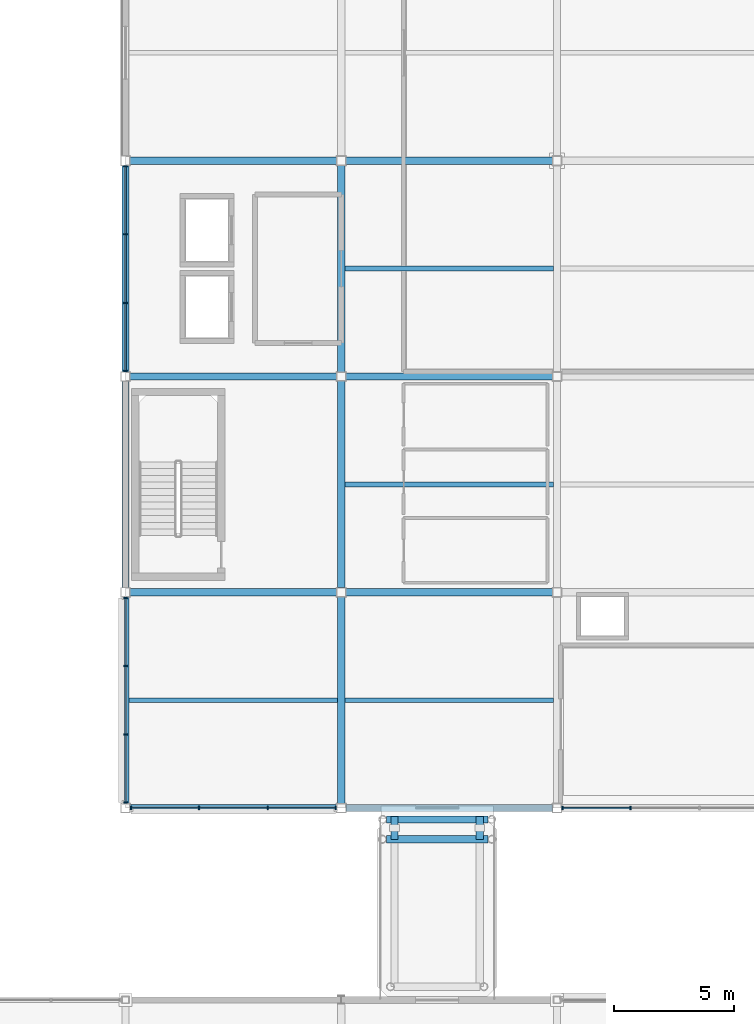
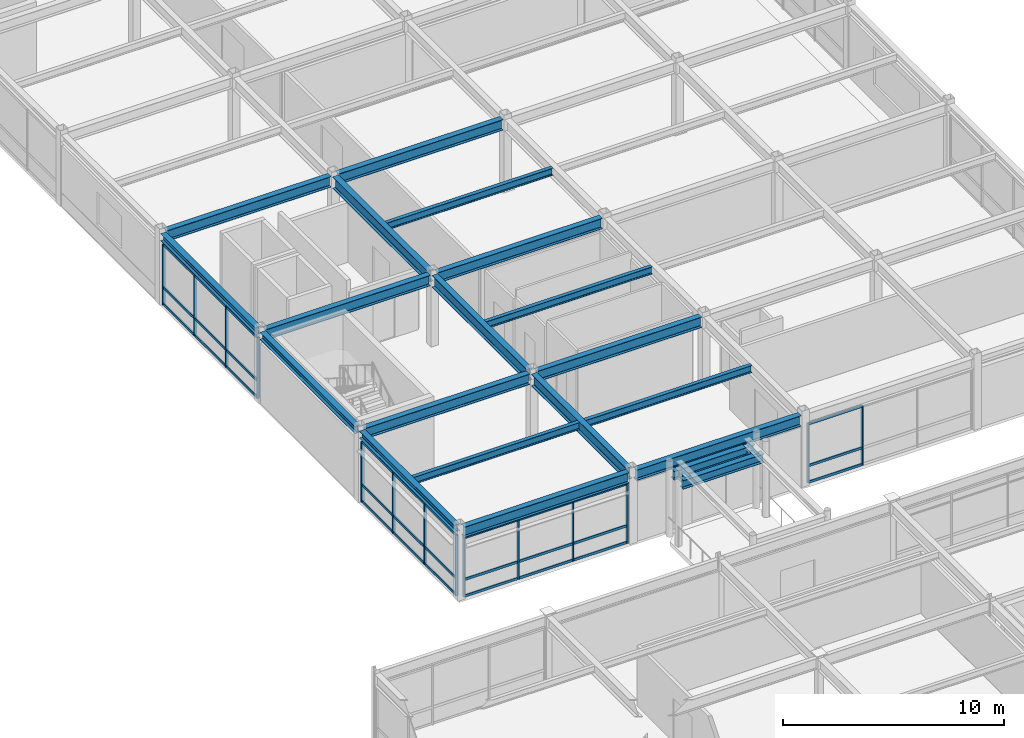
# One storey, part 36 of 70: 44 members, 22 beams, 4 elements without a shape of their own.
"""IFC4 building model written with IfcOpenShell, lengths in metres."""

from ifc_helpers import new_model, si_unit, direction, frame, origin, origin_2d, place, context, subcontext, project, spatial, rectangle, i_section, extrude, material, material_profile, profile_set, type_object, element, aggregate, save


model = new_model("IFC4")

# Units and contexts
model_context = context("Model", 3, precision=1e-05, world=origin(), true_north=direction((0.0, 1.0)))
body_context = subcontext(model_context, "Body", "Model", "MODEL_VIEW")
ifc_project = project(units=[si_unit("LENGTHUNIT", "METRE"), si_unit("AREAUNIT", "SQUARE_METRE"), si_unit("VOLUMEUNIT", "CUBIC_METRE"), si_unit("PLANEANGLEUNIT", "RADIAN"), si_unit("MASSUNIT", "GRAM", prefix="KILO")], contexts=[model_context])

# Site, building, storey
site_placement = place(None, origin())
site = spatial("IfcSite", under=ifc_project, at=site_placement, CompositionType="ELEMENT")
building_placement = place(site_placement, origin())
building = spatial("IfcBuilding", under=site, at=building_placement, Name="Suzunagisa Mobility Hub", CompositionType="ELEMENT")
storey_placement = place(building_placement, frame((0.0, 0.0, 13.5)))
storey = spatial("IfcBuildingStorey", under=building, at=storey_placement, Name="L03", CompositionType="ELEMENT", Elevation=13.5)

# Curtain wall, members
ifc_material_1 = material(Name="Thermally Broken Anodized Aluminum and Low-E Glazing", Category="aluminium")
curtain_wall_type_1 = type_object("IfcCurtainWallType", Name="Unitised Curtain Wall CW-43 8500x3300", PredefinedType="USERDEFINED", material=ifc_material_1)
curtain_wall_1_placement = place(storey_placement, origin())
curtain_wall_1 = element("IfcCurtainWall", 1, at=curtain_wall_1_placement, inside=storey, type_object=curtain_wall_type_1, Name="L03 Unitised Curtain Wall CW-204", ObjectType="UNITISED CURTAIN WALL", PredefinedType="USERDEFINED")
ifc_material_2 = material(Name="Anodized Aluminum 6063-T6", Category="aluminium")
ifc_material_profile_1 = material_profile(ifc_material_2, rectangle(XDim=0.06494140625, YDim=0.139892578125, at=origin_2d()), Name="TRAN-65x140")
ifc_profile_set_1 = profile_set([ifc_material_profile_1], Name="Anodized Aluminum 6063-T6")
member_type_1 = type_object("IfcMemberType", Name="Curtain Wall Framing CM-01 TRAN-65x140", PredefinedType="USERDEFINED", material=ifc_profile_set_1)
member_1_placement = place(storey_placement, frame((144.258056640625, 44.0, 0.032470703125), z_axis=(1.0, 0.0, 0.0), x_axis=(0.0, 1.0, 0.0)))
member_1 = element("IfcMember", 2, at=member_1_placement, type_object=member_type_1, Name="Curtain Wall Transom 204-T1.1", ObjectType="TRANSOM", PredefinedType="USERDEFINED", context=body_context, shape_type="SweptSolid", body=[
    extrude(rectangle(XDim=0.06494140625, YDim=0.139892578125, at=origin_2d()), origin(), (0.0, 0.0, 1.0), 2.78076171875),
])
member_2_placement = place(storey_placement, frame((144.258056640625, 44.0, 0.949951171875), z_axis=(1.0, 0.0, 0.0), x_axis=(0.0, 1.0, 0.0)))
member_2 = element("IfcMember", 3, at=member_2_placement, type_object=member_type_1, Name="Curtain Wall Transom 204-T1.2", ObjectType="TRANSOM", PredefinedType="USERDEFINED", context=body_context, shape_type="SweptSolid", body=[
    extrude(rectangle(XDim=0.06494140625, YDim=0.139892578125, at=origin_2d()), origin(), (0.0, 0.0, 1.0), 2.78076171875),
])
member_3_placement = place(storey_placement, frame((144.258056640625, 44.0, 3.267578125), z_axis=(1.0, 0.0, 0.0), x_axis=(0.0, 1.0, 0.0)))
member_3 = element("IfcMember", 4, at=member_3_placement, type_object=member_type_1, Name="Curtain Wall Transom 204-T1.3", ObjectType="TRANSOM", PredefinedType="USERDEFINED", context=body_context, shape_type="SweptSolid", body=[
    extrude(rectangle(XDim=0.06494140625, YDim=0.139892578125, at=origin_2d()), origin(), (0.0, 0.0, 1.0), 2.78076171875),
])
member_4_placement = place(storey_placement, frame((147.0947265625, 44.0, 0.032470703125), z_axis=(1.0, 0.0, 0.0), x_axis=(0.0, 1.0, 0.0)))
member_4 = element("IfcMember", 5, at=member_4_placement, type_object=member_type_1, Name="Curtain Wall Transom 204-T2.1", ObjectType="TRANSOM", PredefinedType="USERDEFINED", context=body_context, shape_type="SweptSolid", body=[
    extrude(rectangle(XDim=0.06494140625, YDim=0.139892578125, at=origin_2d()), origin(), (0.0, 0.0, 1.0), 2.810546875),
])
member_5_placement = place(storey_placement, frame((147.0947265625, 44.0, 0.949951171875), z_axis=(1.0, 0.0, 0.0), x_axis=(0.0, 1.0, 0.0)))
member_5 = element("IfcMember", 6, at=member_5_placement, type_object=member_type_1, Name="Curtain Wall Transom 204-T2.2", ObjectType="TRANSOM", PredefinedType="USERDEFINED", context=body_context, shape_type="SweptSolid", body=[
    extrude(rectangle(XDim=0.06494140625, YDim=0.139892578125, at=origin_2d()), origin(), (0.0, 0.0, 1.0), 2.810546875),
])
member_6_placement = place(storey_placement, frame((147.0947265625, 44.0, 3.267578125), z_axis=(1.0, 0.0, 0.0), x_axis=(0.0, 1.0, 0.0)))
member_6 = element("IfcMember", 7, at=member_6_placement, type_object=member_type_1, Name="Curtain Wall Transom 204-T2.3", ObjectType="TRANSOM", PredefinedType="USERDEFINED", context=body_context, shape_type="SweptSolid", body=[
    extrude(rectangle(XDim=0.06494140625, YDim=0.139892578125, at=origin_2d()), origin(), (0.0, 0.0, 1.0), 2.810546875),
])
member_7_placement = place(storey_placement, frame((149.961181640625, 44.0, 0.032470703125), z_axis=(1.0, 0.0, 0.0), x_axis=(0.0, 1.0, 0.0)))
member_7 = element("IfcMember", 8, at=member_7_placement, type_object=member_type_1, Name="Curtain Wall Transom 204-T3.1", ObjectType="TRANSOM", PredefinedType="USERDEFINED", context=body_context, shape_type="SweptSolid", body=[
    extrude(rectangle(XDim=0.06494140625, YDim=0.139892578125, at=origin_2d()), origin(), (0.0, 0.0, 1.0), 2.78076171875),
])
member_8_placement = place(storey_placement, frame((149.961181640625, 44.0, 0.949951171875), z_axis=(1.0, 0.0, 0.0), x_axis=(0.0, 1.0, 0.0)))
member_8 = element("IfcMember", 9, at=member_8_placement, type_object=member_type_1, Name="Curtain Wall Transom 204-T3.2", ObjectType="TRANSOM", PredefinedType="USERDEFINED", context=body_context, shape_type="SweptSolid", body=[
    extrude(rectangle(XDim=0.06494140625, YDim=0.139892578125, at=origin_2d()), origin(), (0.0, 0.0, 1.0), 2.78076171875),
])
member_9_placement = place(storey_placement, frame((149.961181640625, 44.0, 3.267578125), z_axis=(1.0, 0.0, 0.0), x_axis=(0.0, 1.0, 0.0)))
member_9 = element("IfcMember", 10, at=member_9_placement, type_object=member_type_1, Name="Curtain Wall Transom 204-T3.3", ObjectType="TRANSOM", PredefinedType="USERDEFINED", context=body_context, shape_type="SweptSolid", body=[
    extrude(rectangle(XDim=0.06494140625, YDim=0.139892578125, at=origin_2d()), origin(), (0.0, 0.0, 1.0), 2.78076171875),
])

curtain_wall_2_placement = place(storey_placement, origin())
curtain_wall_2 = element("IfcCurtainWall", 11, at=curtain_wall_2_placement, inside=storey, type_object=curtain_wall_type_1, Name="L03 Unitised Curtain Wall CW-205", ObjectType="UNITISED CURTAIN WALL", PredefinedType="USERDEFINED")
member_10_placement = place(storey_placement, frame((162.258056640625, 44.0, 0.032470703125), z_axis=(1.0, 0.0, 0.0), x_axis=(0.0, 1.0, 0.0)))
member_10 = element("IfcMember", 12, at=member_10_placement, type_object=member_type_1, Name="Curtain Wall Transom 205-T1.1", ObjectType="TRANSOM", PredefinedType="USERDEFINED", context=body_context, shape_type="SweptSolid", body=[
    extrude(rectangle(XDim=0.06494140625, YDim=0.139892578125, at=origin_2d()), origin(), (0.0, 0.0, 1.0), 2.78076171875),
])
member_11_placement = place(storey_placement, frame((162.258056640625, 44.0, 0.949951171875), z_axis=(1.0, 0.0, 0.0), x_axis=(0.0, 1.0, 0.0)))
member_11 = element("IfcMember", 13, at=member_11_placement, type_object=member_type_1, Name="Curtain Wall Transom 205-T1.2", ObjectType="TRANSOM", PredefinedType="USERDEFINED", context=body_context, shape_type="SweptSolid", body=[
    extrude(rectangle(XDim=0.06494140625, YDim=0.139892578125, at=origin_2d()), origin(), (0.0, 0.0, 1.0), 2.78076171875),
])
member_12_placement = place(storey_placement, frame((162.258056640625, 44.0, 3.257568359375), z_axis=(1.0, 0.0, 0.0), x_axis=(0.0, 1.0, 0.0)))
member_12 = element("IfcMember", 14, at=member_12_placement, type_object=member_type_1, Name="Curtain Wall Transom 205-T1.3", ObjectType="TRANSOM", PredefinedType="USERDEFINED", context=body_context, shape_type="SweptSolid", body=[
    extrude(rectangle(XDim=0.06494140625, YDim=0.139892578125, at=origin_2d()), origin(), (0.0, 0.0, 1.0), 2.78076171875),
])

curtain_wall_type_2 = type_object("IfcCurtainWallType", Name="Unitised Curtain Wall CW-29 8500x3400", PredefinedType="USERDEFINED", material=ifc_material_1)
curtain_wall_3_placement = place(storey_placement, origin())
curtain_wall_3 = element("IfcCurtainWall", 15, at=curtain_wall_3_placement, inside=storey, type_object=curtain_wall_type_2, Name="L03 Unitised Curtain Wall CW-212", ObjectType="UNITISED CURTAIN WALL", PredefinedType="USERDEFINED")
member_13_placement = place(storey_placement, frame((144.0, 70.741943359375, 0.032470703125), z_axis=(0.0, -1.0, 0.0), x_axis=(1.0, 0.0, 0.0)))
member_13 = element("IfcMember", 16, at=member_13_placement, type_object=member_type_1, Name="Curtain Wall Transom 212-T1.1", ObjectType="TRANSOM", PredefinedType="USERDEFINED", context=body_context, shape_type="SweptSolid", body=[
    extrude(rectangle(XDim=0.06494140625, YDim=0.139892578125, at=origin_2d()), origin(), (0.0, 0.0, 1.0), 2.78076171875),
])
member_14_placement = place(storey_placement, frame((144.0, 70.741943359375, 0.949951171875), z_axis=(0.0, -1.0, 0.0), x_axis=(1.0, 0.0, 0.0)))
member_14 = element("IfcMember", 17, at=member_14_placement, type_object=member_type_1, Name="Curtain Wall Transom 212-T1.2", ObjectType="TRANSOM", PredefinedType="USERDEFINED", context=body_context, shape_type="SweptSolid", body=[
    extrude(rectangle(XDim=0.06494140625, YDim=0.139892578125, at=origin_2d()), origin(), (0.0, 0.0, 1.0), 2.78076171875),
])
member_15_placement = place(storey_placement, frame((144.0, 70.741943359375, 3.32958984375), z_axis=(0.0, -1.0, 0.0), x_axis=(1.0, 0.0, 0.0)))
member_15 = element("IfcMember", 18, at=member_15_placement, type_object=member_type_1, Name="Curtain Wall Transom 212-T1.3", ObjectType="TRANSOM", PredefinedType="USERDEFINED", context=body_context, shape_type="SweptSolid", body=[
    extrude(rectangle(XDim=0.06494140625, YDim=0.139892578125, at=origin_2d()), origin(), (0.0, 0.0, 1.0), 2.78076171875),
])
member_16_placement = place(storey_placement, frame((144.0, 67.9052734375, 0.032470703125), z_axis=(0.0, -1.0, 0.0), x_axis=(1.0, 0.0, 0.0)))
member_16 = element("IfcMember", 19, at=member_16_placement, type_object=member_type_1, Name="Curtain Wall Transom 212-T2.1", ObjectType="TRANSOM", PredefinedType="USERDEFINED", context=body_context, shape_type="SweptSolid", body=[
    extrude(rectangle(XDim=0.06494140625, YDim=0.139892578125, at=origin_2d()), origin(), (0.0, 0.0, 1.0), 2.810546875),
])
member_17_placement = place(storey_placement, frame((144.0, 67.9052734375, 0.949951171875), z_axis=(0.0, -1.0, 0.0), x_axis=(1.0, 0.0, 0.0)))
member_17 = element("IfcMember", 20, at=member_17_placement, type_object=member_type_1, Name="Curtain Wall Transom 212-T2.2", ObjectType="TRANSOM", PredefinedType="USERDEFINED", context=body_context, shape_type="SweptSolid", body=[
    extrude(rectangle(XDim=0.06494140625, YDim=0.139892578125, at=origin_2d()), origin(), (0.0, 0.0, 1.0), 2.810546875),
])
member_18_placement = place(storey_placement, frame((144.0, 67.9052734375, 3.32958984375), z_axis=(0.0, -1.0, 0.0), x_axis=(1.0, 0.0, 0.0)))
member_18 = element("IfcMember", 21, at=member_18_placement, type_object=member_type_1, Name="Curtain Wall Transom 212-T2.3", ObjectType="TRANSOM", PredefinedType="USERDEFINED", context=body_context, shape_type="SweptSolid", body=[
    extrude(rectangle(XDim=0.06494140625, YDim=0.139892578125, at=origin_2d()), origin(), (0.0, 0.0, 1.0), 2.810546875),
])
member_19_placement = place(storey_placement, frame((144.0, 65.038818359375, 0.032470703125), z_axis=(0.0, -1.0, 0.0), x_axis=(1.0, 0.0, 0.0)))
member_19 = element("IfcMember", 22, at=member_19_placement, type_object=member_type_1, Name="Curtain Wall Transom 212-T3.1", ObjectType="TRANSOM", PredefinedType="USERDEFINED", context=body_context, shape_type="SweptSolid", body=[
    extrude(rectangle(XDim=0.06494140625, YDim=0.139892578125, at=origin_2d()), origin(), (0.0, 0.0, 1.0), 2.78076171875),
])
member_20_placement = place(storey_placement, frame((144.0, 65.038818359375, 0.949951171875), z_axis=(0.0, -1.0, 0.0), x_axis=(1.0, 0.0, 0.0)))
member_20 = element("IfcMember", 23, at=member_20_placement, type_object=member_type_1, Name="Curtain Wall Transom 212-T3.2", ObjectType="TRANSOM", PredefinedType="USERDEFINED", context=body_context, shape_type="SweptSolid", body=[
    extrude(rectangle(XDim=0.06494140625, YDim=0.139892578125, at=origin_2d()), origin(), (0.0, 0.0, 1.0), 2.78076171875),
])
member_21_placement = place(storey_placement, frame((144.0, 65.038818359375, 3.32958984375), z_axis=(0.0, -1.0, 0.0), x_axis=(1.0, 0.0, 0.0)))
member_21 = element("IfcMember", 24, at=member_21_placement, type_object=member_type_1, Name="Curtain Wall Transom 212-T3.3", ObjectType="TRANSOM", PredefinedType="USERDEFINED", context=body_context, shape_type="SweptSolid", body=[
    extrude(rectangle(XDim=0.06494140625, YDim=0.139892578125, at=origin_2d()), origin(), (0.0, 0.0, 1.0), 2.78076171875),
])

curtain_wall_4_placement = place(storey_placement, origin())
curtain_wall_4 = element("IfcCurtainWall", 25, at=curtain_wall_4_placement, inside=storey, type_object=curtain_wall_type_2, Name="L03 Unitised Curtain Wall CW-213", ObjectType="UNITISED CURTAIN WALL", PredefinedType="USERDEFINED")
member_22_placement = place(storey_placement, frame((144.0, 52.741943359375, 0.032470703125), z_axis=(0.0, -1.0, 0.0), x_axis=(1.0, 0.0, 0.0)))
member_22 = element("IfcMember", 26, at=member_22_placement, type_object=member_type_1, Name="Curtain Wall Transom 213-T1.1", ObjectType="TRANSOM", PredefinedType="USERDEFINED", context=body_context, shape_type="SweptSolid", body=[
    extrude(rectangle(XDim=0.06494140625, YDim=0.139892578125, at=origin_2d()), origin(), (0.0, 0.0, 1.0), 2.78076171875),
])
member_23_placement = place(storey_placement, frame((144.0, 52.741943359375, 0.949951171875), z_axis=(0.0, -1.0, 0.0), x_axis=(1.0, 0.0, 0.0)))
member_23 = element("IfcMember", 27, at=member_23_placement, type_object=member_type_1, Name="Curtain Wall Transom 213-T1.2", ObjectType="TRANSOM", PredefinedType="USERDEFINED", context=body_context, shape_type="SweptSolid", body=[
    extrude(rectangle(XDim=0.06494140625, YDim=0.139892578125, at=origin_2d()), origin(), (0.0, 0.0, 1.0), 2.78076171875),
])
member_24_placement = place(storey_placement, frame((144.0, 52.741943359375, 3.32958984375), z_axis=(0.0, -1.0, 0.0), x_axis=(1.0, 0.0, 0.0)))
member_24 = element("IfcMember", 28, at=member_24_placement, type_object=member_type_1, Name="Curtain Wall Transom 213-T1.3", ObjectType="TRANSOM", PredefinedType="USERDEFINED", context=body_context, shape_type="SweptSolid", body=[
    extrude(rectangle(XDim=0.06494140625, YDim=0.139892578125, at=origin_2d()), origin(), (0.0, 0.0, 1.0), 2.78076171875),
])
member_25_placement = place(storey_placement, frame((144.0, 49.9052734375, 0.032470703125), z_axis=(0.0, -1.0, 0.0), x_axis=(1.0, 0.0, 0.0)))
member_25 = element("IfcMember", 29, at=member_25_placement, type_object=member_type_1, Name="Curtain Wall Transom 213-T2.1", ObjectType="TRANSOM", PredefinedType="USERDEFINED", context=body_context, shape_type="SweptSolid", body=[
    extrude(rectangle(XDim=0.06494140625, YDim=0.139892578125, at=origin_2d()), origin(), (0.0, 0.0, 1.0), 2.810546875),
])
member_26_placement = place(storey_placement, frame((144.0, 49.9052734375, 0.949951171875), z_axis=(0.0, -1.0, 0.0), x_axis=(1.0, 0.0, 0.0)))
member_26 = element("IfcMember", 30, at=member_26_placement, type_object=member_type_1, Name="Curtain Wall Transom 213-T2.2", ObjectType="TRANSOM", PredefinedType="USERDEFINED", context=body_context, shape_type="SweptSolid", body=[
    extrude(rectangle(XDim=0.06494140625, YDim=0.139892578125, at=origin_2d()), origin(), (0.0, 0.0, 1.0), 2.810546875),
])
member_27_placement = place(storey_placement, frame((144.0, 49.9052734375, 3.32958984375), z_axis=(0.0, -1.0, 0.0), x_axis=(1.0, 0.0, 0.0)))
member_27 = element("IfcMember", 31, at=member_27_placement, type_object=member_type_1, Name="Curtain Wall Transom 213-T2.3", ObjectType="TRANSOM", PredefinedType="USERDEFINED", context=body_context, shape_type="SweptSolid", body=[
    extrude(rectangle(XDim=0.06494140625, YDim=0.139892578125, at=origin_2d()), origin(), (0.0, 0.0, 1.0), 2.810546875),
])
member_28_placement = place(storey_placement, frame((144.0, 47.038818359375, 0.032470703125), z_axis=(0.0, -1.0, 0.0), x_axis=(1.0, 0.0, 0.0)))
member_28 = element("IfcMember", 32, at=member_28_placement, type_object=member_type_1, Name="Curtain Wall Transom 213-T3.1", ObjectType="TRANSOM", PredefinedType="USERDEFINED", context=body_context, shape_type="SweptSolid", body=[
    extrude(rectangle(XDim=0.06494140625, YDim=0.139892578125, at=origin_2d()), origin(), (0.0, 0.0, 1.0), 2.78076171875),
])
member_29_placement = place(storey_placement, frame((144.0, 47.038818359375, 0.949951171875), z_axis=(0.0, -1.0, 0.0), x_axis=(1.0, 0.0, 0.0)))
member_29 = element("IfcMember", 33, at=member_29_placement, type_object=member_type_1, Name="Curtain Wall Transom 213-T3.2", ObjectType="TRANSOM", PredefinedType="USERDEFINED", context=body_context, shape_type="SweptSolid", body=[
    extrude(rectangle(XDim=0.06494140625, YDim=0.139892578125, at=origin_2d()), origin(), (0.0, 0.0, 1.0), 2.78076171875),
])
member_30_placement = place(storey_placement, frame((144.0, 47.038818359375, 3.32958984375), z_axis=(0.0, -1.0, 0.0), x_axis=(1.0, 0.0, 0.0)))
member_30 = element("IfcMember", 34, at=member_30_placement, type_object=member_type_1, Name="Curtain Wall Transom 213-T3.3", ObjectType="TRANSOM", PredefinedType="USERDEFINED", context=body_context, shape_type="SweptSolid", body=[
    extrude(rectangle(XDim=0.06494140625, YDim=0.139892578125, at=origin_2d()), origin(), (0.0, 0.0, 1.0), 2.78076171875),
])

# Member
ifc_material_profile_2 = material_profile(ifc_material_2, rectangle(XDim=0.06005859375, YDim=0.14990234375, at=origin_2d()), Name="MULL-60x150")
ifc_profile_set_2 = profile_set([ifc_material_profile_2], Name="Anodized Aluminum 6063-T6")
member_type_2 = type_object("IfcMemberType", Name="Curtain Wall Framing CM-03 MULL-60x150", PredefinedType="MULLION", material=ifc_profile_set_2)
member_31_placement = place(storey_placement, frame((144.22998046875, 44.0, 0.0), z_axis=(0.0, 0.0, 1.0), x_axis=(1.0, 0.0, 0.0)))
member_31 = element("IfcMember", 35, at=member_31_placement, type_object=member_type_2, Name="Curtain Wall Mullion 204-M1", PredefinedType="MULLION", context=body_context, shape_type="SweptSolid", body=[
    extrude(rectangle(XDim=0.06005859375, YDim=0.14990234375, at=origin_2d()), origin(), (0.0, 0.0, 1.0), 3.300048828125),
])

member_32_placement = place(storey_placement, frame((147.066650390625, 44.0, 0.0), z_axis=(0.0, 0.0, 1.0), x_axis=(1.0, 0.0, 0.0)))
member_32 = element("IfcMember", 36, at=member_32_placement, type_object=member_type_2, Name="Curtain Wall Mullion 204-M2", PredefinedType="MULLION", context=body_context, shape_type="SweptSolid", body=[
    extrude(rectangle(XDim=0.06005859375, YDim=0.14990234375, at=origin_2d()), origin(), (0.0, 0.0, 1.0), 3.300048828125),
])

member_33_placement = place(storey_placement, frame((149.933349609375, 44.0, 0.0), z_axis=(0.0, 0.0, 1.0), x_axis=(1.0, 0.0, 0.0)))
member_33 = element("IfcMember", 37, at=member_33_placement, type_object=member_type_2, Name="Curtain Wall Mullion 204-M3", PredefinedType="MULLION", context=body_context, shape_type="SweptSolid", body=[
    extrude(rectangle(XDim=0.06005859375, YDim=0.14990234375, at=origin_2d()), origin(), (0.0, 0.0, 1.0), 3.300048828125),
])

member_34_placement = place(storey_placement, frame((152.77001953125, 44.0, 0.0), z_axis=(0.0, 0.0, 1.0), x_axis=(1.0, 0.0, 0.0)))
member_34 = element("IfcMember", 38, at=member_34_placement, type_object=member_type_2, Name="Curtain Wall Mullion 204-M4", PredefinedType="MULLION", context=body_context, shape_type="SweptSolid", body=[
    extrude(rectangle(XDim=0.06005859375, YDim=0.14990234375, at=origin_2d()), origin(), (0.0, 0.0, 1.0), 3.300048828125),
])

aggregate(curtain_wall_1, [member_31, member_32, member_33, member_34, member_1, member_2, member_3, member_4, member_5, member_6, member_7, member_8, member_9])

member_35_placement = place(storey_placement, frame((162.22998046875, 44.0, 0.0), z_axis=(0.0, 0.0, 1.0), x_axis=(1.0, 0.0, 0.0)))
member_35 = element("IfcMember", 39, at=member_35_placement, type_object=member_type_2, Name="Curtain Wall Mullion 205-M1", PredefinedType="MULLION", context=body_context, shape_type="SweptSolid", body=[
    extrude(rectangle(XDim=0.06005859375, YDim=0.14990234375, at=origin_2d()), origin(), (0.0, 0.0, 1.0), 3.2900390625),
])

member_36_placement = place(storey_placement, frame((165.066650390625, 44.0, 0.0), z_axis=(0.0, 0.0, 1.0), x_axis=(1.0, 0.0, 0.0)))
member_36 = element("IfcMember", 40, at=member_36_placement, type_object=member_type_2, Name="Curtain Wall Mullion 205-M2", PredefinedType="MULLION", context=body_context, shape_type="SweptSolid", body=[
    extrude(rectangle(XDim=0.06005859375, YDim=0.14990234375, at=origin_2d()), origin(), (0.0, 0.0, 1.0), 3.2900390625),
])

aggregate(curtain_wall_2, [member_35, member_36, member_10, member_11, member_12])

member_37_placement = place(storey_placement, frame((144.0, 70.77001953125, 0.0), z_axis=(0.0, 0.0, 1.0), x_axis=(0.0, -1.0, 0.0)))
member_37 = element("IfcMember", 41, at=member_37_placement, type_object=member_type_2, Name="Curtain Wall Mullion 212-M1", PredefinedType="MULLION", context=body_context, shape_type="SweptSolid", body=[
    extrude(rectangle(XDim=0.06005859375, YDim=0.14990234375, at=origin_2d()), origin(), (0.0, 0.0, 1.0), 3.362060546875),
])

member_38_placement = place(storey_placement, frame((144.0, 67.933349609375, 0.0), z_axis=(0.0, 0.0, 1.0), x_axis=(0.0, -1.0, 0.0)))
member_38 = element("IfcMember", 42, at=member_38_placement, type_object=member_type_2, Name="Curtain Wall Mullion 212-M2", PredefinedType="MULLION", context=body_context, shape_type="SweptSolid", body=[
    extrude(rectangle(XDim=0.06005859375, YDim=0.14990234375, at=origin_2d()), origin(), (0.0, 0.0, 1.0), 3.362060546875),
])

member_39_placement = place(storey_placement, frame((144.0, 65.066650390625, 0.0), z_axis=(0.0, 0.0, 1.0), x_axis=(0.0, -1.0, 0.0)))
member_39 = element("IfcMember", 43, at=member_39_placement, type_object=member_type_2, Name="Curtain Wall Mullion 212-M3", PredefinedType="MULLION", context=body_context, shape_type="SweptSolid", body=[
    extrude(rectangle(XDim=0.06005859375, YDim=0.14990234375, at=origin_2d()), origin(), (0.0, 0.0, 1.0), 3.362060546875),
])

member_40_placement = place(storey_placement, frame((144.0, 62.22998046875, 0.0), z_axis=(0.0, 0.0, 1.0), x_axis=(0.0, -1.0, 0.0)))
member_40 = element("IfcMember", 44, at=member_40_placement, type_object=member_type_2, Name="Curtain Wall Mullion 212-M4", PredefinedType="MULLION", context=body_context, shape_type="SweptSolid", body=[
    extrude(rectangle(XDim=0.06005859375, YDim=0.14990234375, at=origin_2d()), origin(), (0.0, 0.0, 1.0), 3.362060546875),
])

aggregate(curtain_wall_3, [member_37, member_38, member_39, member_40, member_13, member_14, member_15, member_16, member_17, member_18, member_19, member_20, member_21])

member_41_placement = place(storey_placement, frame((144.0, 52.77001953125, 0.0), z_axis=(0.0, 0.0, 1.0), x_axis=(0.0, -1.0, 0.0)))
member_41 = element("IfcMember", 45, at=member_41_placement, type_object=member_type_2, Name="Curtain Wall Mullion 213-M1", PredefinedType="MULLION", context=body_context, shape_type="SweptSolid", body=[
    extrude(rectangle(XDim=0.06005859375, YDim=0.14990234375, at=origin_2d()), origin(), (0.0, 0.0, 1.0), 3.362060546875),
])

member_42_placement = place(storey_placement, frame((144.0, 49.933349609375, 0.0), z_axis=(0.0, 0.0, 1.0), x_axis=(0.0, -1.0, 0.0)))
member_42 = element("IfcMember", 46, at=member_42_placement, type_object=member_type_2, Name="Curtain Wall Mullion 213-M2", PredefinedType="MULLION", context=body_context, shape_type="SweptSolid", body=[
    extrude(rectangle(XDim=0.06005859375, YDim=0.14990234375, at=origin_2d()), origin(), (0.0, 0.0, 1.0), 3.362060546875),
])

member_43_placement = place(storey_placement, frame((144.0, 47.066650390625, 0.0), z_axis=(0.0, 0.0, 1.0), x_axis=(0.0, -1.0, 0.0)))
member_43 = element("IfcMember", 47, at=member_43_placement, type_object=member_type_2, Name="Curtain Wall Mullion 213-M3", PredefinedType="MULLION", context=body_context, shape_type="SweptSolid", body=[
    extrude(rectangle(XDim=0.06005859375, YDim=0.14990234375, at=origin_2d()), origin(), (0.0, 0.0, 1.0), 3.362060546875),
])

member_44_placement = place(storey_placement, frame((144.0, 44.22998046875, 0.0), z_axis=(0.0, 0.0, 1.0), x_axis=(0.0, -1.0, 0.0)))
member_44 = element("IfcMember", 48, at=member_44_placement, type_object=member_type_2, Name="Curtain Wall Mullion 213-M4", PredefinedType="MULLION", context=body_context, shape_type="SweptSolid", body=[
    extrude(rectangle(XDim=0.06005859375, YDim=0.14990234375, at=origin_2d()), origin(), (0.0, 0.0, 1.0), 3.362060546875),
])

aggregate(curtain_wall_4, [member_41, member_42, member_43, member_44, member_22, member_23, member_24, member_25, member_26, member_27, member_28, member_29, member_30])

# Beams
ifc_material_3 = material(Name="Steel SN490B", Category="steel")
ifc_material_profile_3 = material_profile(ifc_material_3, i_section(OverallWidth=0.300048828125, OverallDepth=0.488037109375, WebThickness=0.010986328125, FlangeThickness=0.01806640625, FilletRadius=0.012939453125, at=origin_2d()), Name="H-488x300x11x18")
ifc_profile_set_3 = profile_set([ifc_material_profile_3], Name="Steel SN490B")
beam_type_1 = type_object("IfcBeamType", Name="Steel Beam BM-06 H-488x300x11x18", PredefinedType="BEAM", material=ifc_profile_set_3)
for number, where, z_axis, x_axis, name in (
    (49, (154.8798828125, 42.699951171875, 3.325927734375), (1.0, 0.0, 0.0), (0.0, 1.0, 0.0), "L04 Skybridge Seat Crosshead SB-06-S"),
    (50, (154.8798828125, 43.530029296875, 3.325927734375), (1.0, 0.0, 0.0), (0.0, 1.0, 0.0), "L04 Skybridge Seat Crosshead SB-06-N"),
):
    element("IfcBeam", number, at=place(storey_placement, frame(where, z_axis=z_axis, x_axis=x_axis)), inside=storey, type_object=beam_type_1, Name=name, PredefinedType="BEAM", context=body_context, shape_type="SweptSolid", body=[
        extrude(i_section(OverallWidth=0.300048828125, OverallDepth=0.488037109375, WebThickness=0.010986328125, FlangeThickness=0.01806640625, FilletRadius=0.012939453125, at=origin_2d()), origin(), (0.0, 0.0, 1.0), 4.240234375),
    ])
for number, where, z_axis, x_axis, name in (
    (51, (155.219970703125, 42.699951171875, 3.325927734375), (0.0, 1.0, 0.0), (-1.0, 0.0, 0.0), "L04 Skybridge 950mm Bearing Seat SB-06-A"),
    (52, (158.780029296875, 42.699951171875, 3.325927734375), (0.0, 1.0, 0.0), (-1.0, 0.0, 0.0), "L04 Skybridge 950mm Bearing Seat SB-06-B"),
):
    element("IfcBeam", number, at=place(storey_placement, frame(where, z_axis=z_axis, x_axis=x_axis)), inside=storey, type_object=beam_type_1, Name=name, PredefinedType="BEAM", context=body_context, shape_type="SweptSolid", body=[
        extrude(i_section(OverallWidth=0.300048828125, OverallDepth=0.488037109375, WebThickness=0.010986328125, FlangeThickness=0.01806640625, FilletRadius=0.012939453125, at=origin_2d()), origin(), (0.0, 0.0, 1.0), 0.949951171875),
    ])
ifc_material_profile_4 = material_profile(ifc_material_3, i_section(OverallWidth=0.300048828125, OverallDepth=0.64990234375, WebThickness=0.012939453125, FlangeThickness=0.02197265625, FilletRadius=0.01611328125, at=origin_2d()), Name="H-650x300x13x22")
ifc_profile_set_4 = profile_set([ifc_material_profile_4], Name="Steel SN490B")
beam_type_2 = type_object("IfcBeamType", Name="Steel Beam BM-10 H-650x300x13x22", PredefinedType="BEAM", material=ifc_profile_set_4)
for number, where, z_axis, x_axis, name in (
    (53, (153.0, 44.196044921875, 3.625), (0.0, 1.0, 0.0), (-1.0, 0.0, 0.0), "L03 Primary Girder GY-1995"),
    (54, (153.0, 53.196044921875, 3.625), (0.0, 1.0, 0.0), (-1.0, 0.0, 0.0), "L03 Primary Girder GY-1996"),
    (55, (153.0, 62.196044921875, 3.625), (0.0, 1.0, 0.0), (-1.0, 0.0, 0.0), "L03 Primary Girder GY-1997"),
):
    element("IfcBeam", number, at=place(storey_placement, frame(where, z_axis=z_axis, x_axis=x_axis)), inside=storey, type_object=beam_type_2, Name=name, PredefinedType="BEAM", context=body_context, shape_type="SweptSolid", body=[
        extrude(i_section(OverallWidth=0.300048828125, OverallDepth=0.64990234375, WebThickness=0.012939453125, FlangeThickness=0.02197265625, FilletRadius=0.01611328125, at=origin_2d()), origin(), (0.0, 0.0, 1.0), 8.60791015625),
    ])
ifc_material_profile_5 = material_profile(ifc_material_3, i_section(OverallWidth=0.300048828125, OverallDepth=0.389892578125, WebThickness=0.010009765625, FlangeThickness=0.01611328125, FilletRadius=0.012939453125, at=origin_2d()), Name="H-390x300x10x16")
ifc_profile_set_5 = profile_set([ifc_material_profile_5], Name="Steel SN490B")
beam_type_3 = type_object("IfcBeamType", Name="Steel Beam BM-13 H-390x300x10x16", PredefinedType="SPANDREL", material=ifc_profile_set_5)
for number, where, z_axis, x_axis, name in (
    (56, (144.0, 44.196044921875, 3.7548828125), (0.0, 1.0, 0.0), (-1.0, 0.0, 0.0), "L03 Primary Girder GY-1989"),
    (57, (144.0, 53.196044921875, 3.7548828125), (0.0, 1.0, 0.0), (-1.0, 0.0, 0.0), "L03 Primary Girder GY-1990"),
    (58, (144.0, 62.196044921875, 3.7548828125), (0.0, 1.0, 0.0), (-1.0, 0.0, 0.0), "L03 Primary Girder GY-1991"),
):
    element("IfcBeam", number, at=place(storey_placement, frame(where, z_axis=z_axis, x_axis=x_axis)), inside=storey, type_object=beam_type_3, Name=name, PredefinedType="SPANDREL", context=body_context, shape_type="SweptSolid", body=[
        extrude(i_section(OverallWidth=0.300048828125, OverallDepth=0.389892578125, WebThickness=0.010009765625, FlangeThickness=0.01611328125, FilletRadius=0.012939453125, at=origin_2d()), origin(), (0.0, 0.0, 1.0), 8.60791015625),
    ])
ifc_material_4 = material(Name="Steel SN400B", Category="steel")
ifc_material_profile_6 = material_profile(ifc_material_4, i_section(OverallWidth=0.199951171875, OverallDepth=0.39990234375, WebThickness=0.008056640625, FlangeThickness=0.012939453125, FilletRadius=0.012939453125, at=origin_2d()), Name="H-400x200x8x13")
ifc_profile_set_6 = profile_set([ifc_material_profile_6], Name="Steel SN400B")
beam_type_4 = type_object("IfcBeamType", Name="Steel Beam BM-14 H-400x200x8x13", PredefinedType="JOIST", material=ifc_profile_set_6)
for number, where, z_axis, x_axis, name in (
    (59, (144.14990234375, 48.5, 3.75), (1.0, 0.0, 0.0), (0.0, 1.0, 0.0), "L03 Composite Floor Joist J-2019"),
    (60, (153.14990234375, 48.5, 3.75), (1.0, 0.0, 0.0), (0.0, 1.0, 0.0), "L03 Composite Floor Joist J-2022"),
    (61, (153.14990234375, 57.5, 3.75), (1.0, 0.0, 0.0), (0.0, 1.0, 0.0), "L03 Composite Floor Joist J-2023"),
    (62, (153.14990234375, 66.5, 3.75), (1.0, 0.0, 0.0), (0.0, 1.0, 0.0), "L03 Composite Floor Joist J-2024"),
):
    element("IfcBeam", number, at=place(storey_placement, frame(where, z_axis=z_axis, x_axis=x_axis)), inside=storey, type_object=beam_type_4, Name=name, PredefinedType="JOIST", context=body_context, shape_type="SweptSolid", body=[
        extrude(i_section(OverallWidth=0.199951171875, OverallDepth=0.39990234375, WebThickness=0.008056640625, FlangeThickness=0.012939453125, FilletRadius=0.012939453125, at=origin_2d()), origin(), (0.0, 0.0, 1.0), 8.7001953125),
    ])
ifc_material_profile_7 = material_profile(ifc_material_3, i_section(OverallWidth=0.300048828125, OverallDepth=0.587890625, WebThickness=0.011962890625, FlangeThickness=0.02001953125, FilletRadius=0.012939453125, at=origin_2d()), Name="H-588x300x12x20")
ifc_profile_set_7 = profile_set([ifc_material_profile_7], Name="Steel SN490B")
beam_type_5 = type_object("IfcBeamType", Name="Steel Beam BM-16 H-588x300x12x20", PredefinedType="BEAM", material=ifc_profile_set_7)
for number, where, z_axis, x_axis, name in (
    (63, (144.196044921875, 44.0, 3.656005859375), (1.0, 0.0, 0.0), (0.0, 1.0, 0.0), "L03 Primary Girder GX-1962"),
    (64, (153.196044921875, 44.0, 3.656005859375), (1.0, 0.0, 0.0), (0.0, 1.0, 0.0), "L03 Primary Girder GX-1963"),
    (65, (144.196044921875, 53.0, 3.656005859375), (1.0, 0.0, 0.0), (0.0, 1.0, 0.0), "L03 Primary Girder GX-1965"),
    (66, (153.196044921875, 53.0, 3.656005859375), (1.0, 0.0, 0.0), (0.0, 1.0, 0.0), "L03 Primary Girder GX-1966"),
    (67, (144.196044921875, 62.0, 3.656005859375), (1.0, 0.0, 0.0), (0.0, 1.0, 0.0), "L03 Primary Girder GX-1969"),
    (68, (153.196044921875, 62.0, 3.656005859375), (1.0, 0.0, 0.0), (0.0, 1.0, 0.0), "L03 Primary Girder GX-1970"),
    (69, (144.196044921875, 71.0, 3.656005859375), (1.0, 0.0, 0.0), (0.0, 1.0, 0.0), "L03 Primary Girder GX-1973"),
    (70, (153.196044921875, 71.0, 3.656005859375), (1.0, 0.0, 0.0), (0.0, 1.0, 0.0), "L03 Primary Girder GX-1974"),
):
    element("IfcBeam", number, at=place(storey_placement, frame(where, z_axis=z_axis, x_axis=x_axis)), inside=storey, type_object=beam_type_5, Name=name, PredefinedType="BEAM", context=body_context, shape_type="SweptSolid", body=[
        extrude(i_section(OverallWidth=0.300048828125, OverallDepth=0.587890625, WebThickness=0.011962890625, FlangeThickness=0.02001953125, FilletRadius=0.012939453125, at=origin_2d()), origin(), (0.0, 0.0, 1.0), 8.60791015625),
    ])

save(model, "model.ifc")
